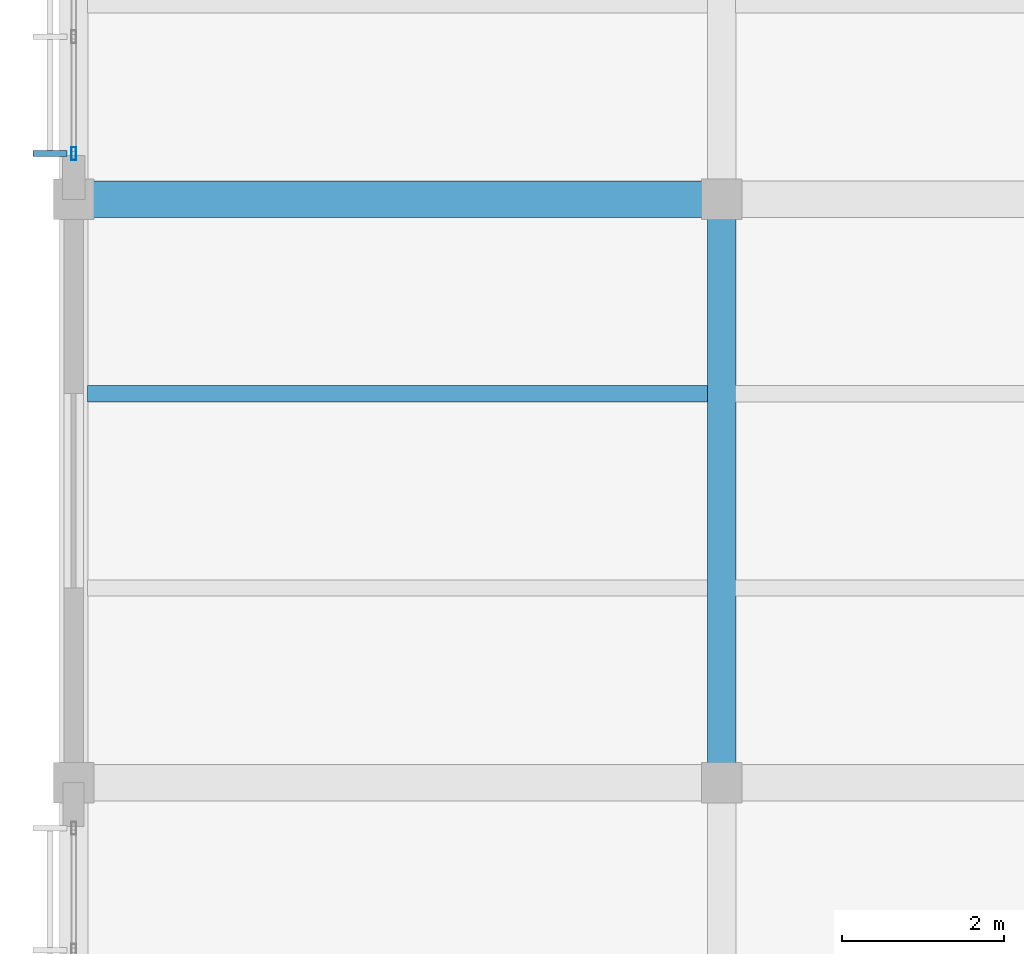
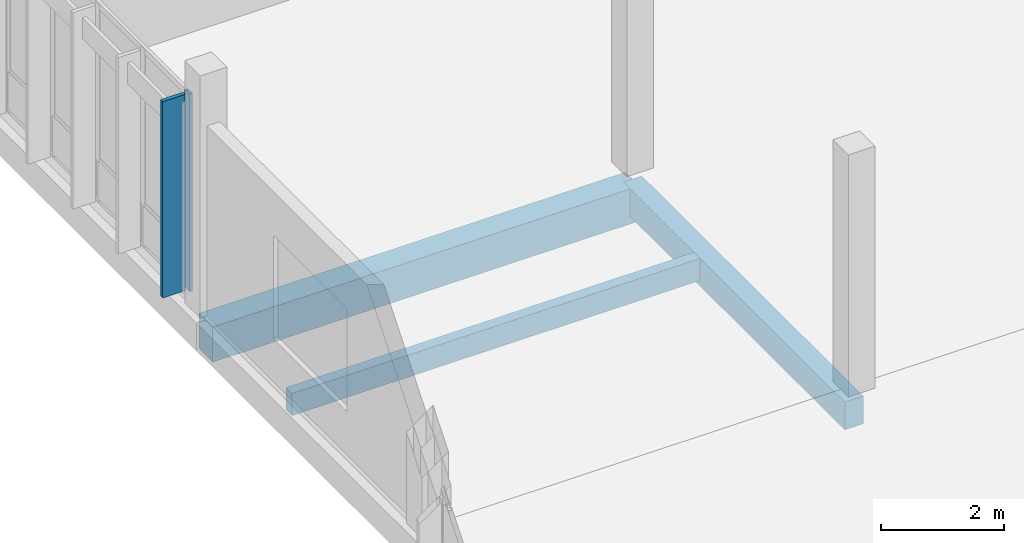
# One storey, part 63 of 177: 3 beams, 2 members, 1 element without a shape of its own.
"""IFC4 building model written with IfcOpenShell, lengths in metres."""

from ifc_helpers import new_model, si_unit, direction, frame, origin, origin_2d, place, context, subcontext, project, spatial, rectangle, hollow_rectangle, extrude, material, material_profile, profile_set, type_object, element, aggregate, save


model = new_model("IFC4")

# Units and contexts
model_context = context("Model", 3, precision=1e-05, world=origin(), true_north=direction((0.0, 1.0)))
body_context = subcontext(model_context, "Body", "Model", "MODEL_VIEW")
ifc_project = project(units=[si_unit("LENGTHUNIT", "METRE"), si_unit("AREAUNIT", "SQUARE_METRE"), si_unit("VOLUMEUNIT", "CUBIC_METRE"), si_unit("PLANEANGLEUNIT", "RADIAN"), si_unit("MASSUNIT", "GRAM", prefix="KILO")], contexts=[model_context])

# Site, building, storey
site_placement = place(None, origin())
site = spatial("IfcSite", under=ifc_project, at=site_placement, CompositionType="ELEMENT")
building_placement = place(site_placement, origin())
building = spatial("IfcBuilding", under=site, at=building_placement, Name="Chiffa Square Polytechnic", CompositionType="ELEMENT")
storey_placement = place(building_placement, frame((0.0, 0.0, 4.800048828125)))
storey = spatial("IfcBuildingStorey", under=building, at=storey_placement, Name="L01", CompositionType="ELEMENT", Elevation=4.800048828125)

# Beams
ifc_material_1 = material(Name="Concrete C35/45", Category="concrete")
ifc_material_profile_1 = material_profile(ifc_material_1, rectangle(XDim=0.35009765625, YDim=0.550048828125, at=origin_2d()), Name="RC 350x550")
ifc_profile_set_1 = profile_set([ifc_material_profile_1], Name="Concrete C35/45")
beam_type_1 = type_object("IfcBeamType", Name="BM-RC-350X550", PredefinedType="BEAM", material=ifc_profile_set_1)
beam_1_placement = place(storey_placement, frame((8.0, 79.800048828125, -0.554931640625), z_axis=(0.0, 1.0, 0.0), x_axis=(-1.0, 0.0, 0.0)))
element("IfcBeam", 1, at=beam_1_placement, inside=storey, type_object=beam_type_1, Name="Primary floor girder BM-V6-L01-Y-0080-0798", PredefinedType="BEAM", context=body_context, shape_type="SweptSolid", body=[
    extrude(rectangle(XDim=0.35009765625, YDim=0.550048828125, at=origin_2d()), origin(), (0.0, 0.0, 1.0), 7.199951171875),
])
ifc_material_profile_2 = material_profile(ifc_material_1, rectangle(XDim=0.449951171875, YDim=0.699951171875, at=origin_2d()), Name="RC 450x700")
ifc_profile_set_2 = profile_set([ifc_material_profile_2], Name="Concrete C35/45")
beam_type_2 = type_object("IfcBeamType", Name="BM-RC-450X700", PredefinedType="BEAM", material=ifc_profile_set_2)
beam_2_placement = place(storey_placement, frame((0.0, 87.0, -0.630126953125), z_axis=(1.0, 0.0, 0.0), x_axis=(0.0, 1.0, 0.0)))
element("IfcBeam", 2, at=beam_2_placement, inside=storey, type_object=beam_type_2, Name="Primary floor girder BM-V6-L01-X-0000-0870", PredefinedType="BEAM", context=body_context, shape_type="SweptSolid", body=[
    extrude(rectangle(XDim=0.449951171875, YDim=0.699951171875, at=origin_2d()), origin(), (0.0, 0.0, 1.0), 8.0),
])

# Curtain wall, members
ifc_material_2 = material(Name="Aluminium EN AW-6060 T66 and glulam shading", Category="wood")
curtain_wall_type = type_object("IfcCurtainWallType", Name="CW-VERT-300X380", PredefinedType="USERDEFINED", material=ifc_material_2)
curtain_wall_placement = place(storey_placement, origin())
curtain_wall = element("IfcCurtainWall", 3, at=curtain_wall_placement, inside=storey, type_object=curtain_wall_type, Name="Curtain wall CW-V6-L01-259", ObjectType="CURTAIN WALL", PredefinedType="USERDEFINED")
ifc_material_3 = material(Name="Aluminium EN AW-6060 T66", Category="aluminium")
ifc_material_profile_3 = material_profile(ifc_material_3, hollow_rectangle(XDim=0.06005859375, YDim=0.159912109375, WallThickness=0.00390625, at=origin_2d()), Name="ALU 60x160x4")
ifc_profile_set_3 = profile_set([ifc_material_profile_3], Name="Aluminium EN AW-6060 T66")
member_type_1 = type_object("IfcMemberType", Name="CWM-ALU-65X150", PredefinedType="MULLION", material=ifc_profile_set_3)
member_1_placement = place(storey_placement, frame((0.0, 87.56494140625, 0.0), z_axis=(0.0, 0.0, 1.0), x_axis=(1.0, 0.0, 0.0)))
member_1 = element("IfcMember", 4, at=member_1_placement, type_object=member_type_1, Name="Curtain wall mullion CW-V6-L01-259-M04", PredefinedType="MULLION", context=body_context, shape_type="SweptSolid", body=[
    extrude(hollow_rectangle(XDim=0.06005859375, YDim=0.159912109375, WallThickness=0.00390625, at=origin_2d()), origin(), (0.0, 0.0, 1.0), 3.9150390625),
])
ifc_material_4 = material(Name="Glulam GL28h", Category="wood")
ifc_material_profile_4 = material_profile(ifc_material_4, rectangle(XDim=0.070068359375, YDim=0.419921875, at=origin_2d()), Name="GL28h 70x420")
ifc_profile_set_4 = profile_set([ifc_material_profile_4], Name="Glulam GL28h")
member_type_2 = type_object("IfcMemberType", Name="CWM-GL-70X420", PredefinedType="MULLION", material=ifc_profile_set_4)
member_2_placement = place(storey_placement, frame((-0.2919921875, 87.56494140625, 0.010009765625), z_axis=(0.0, 0.0, 1.0), x_axis=(0.0, -1.0, 0.0)))
member_2 = element("IfcMember", 5, at=member_2_placement, type_object=member_type_2, Name="Exterior glulam solar fin CW-V6-L01-259-FN04", PredefinedType="MULLION", context=body_context, shape_type="SweptSolid", body=[
    extrude(rectangle(XDim=0.070068359375, YDim=0.419921875, at=origin_2d()), origin(), (0.0, 0.0, 1.0), 3.89501953125),
])
aggregate(curtain_wall, [member_1, member_2])

# Beam
ifc_material_profile_5 = material_profile(ifc_material_4, rectangle(XDim=0.199951171875, YDim=0.43994140625, at=origin_2d()), Name="GL28h 200x440")
ifc_profile_set_5 = profile_set([ifc_material_profile_5], Name="Glulam GL28h")
beam_type_3 = type_object("IfcBeamType", Name="JST-GL-200X440", PredefinedType="JOIST", material=ifc_profile_set_5)
beam_3_placement = place(storey_placement, frame((0.173095703125, 84.60009765625, -0.5), z_axis=(1.0, 0.0, 0.0), x_axis=(0.0, 1.0, 0.0)))
element("IfcBeam", 6, at=beam_3_placement, inside=storey, type_object=beam_type_3, Name="Secondary floor joist JST-V6-L01-0000-0846", PredefinedType="JOIST", context=body_context, shape_type="SweptSolid", body=[
    extrude(rectangle(XDim=0.199951171875, YDim=0.43994140625, at=origin_2d()), origin(), (0.0, 0.0, 1.0), 7.65380859375),
])

save(model, "model.ifc")
